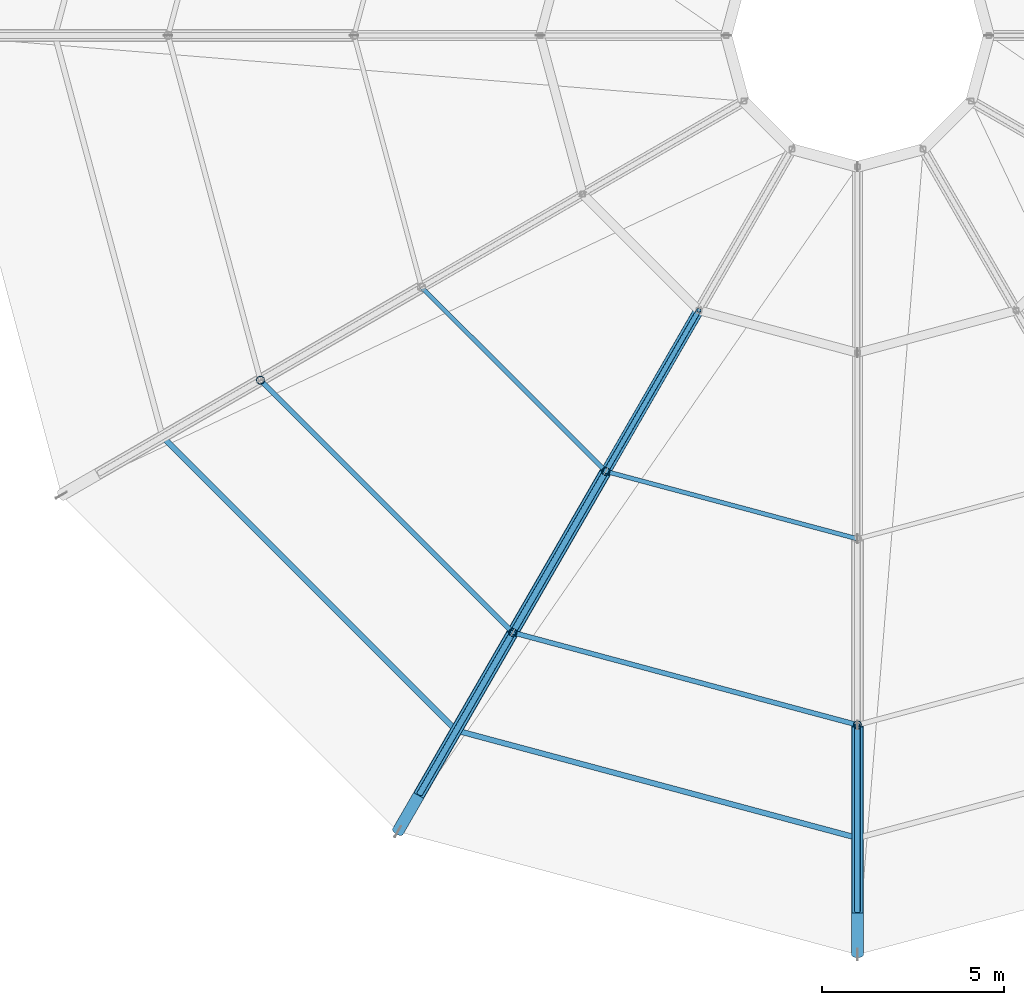
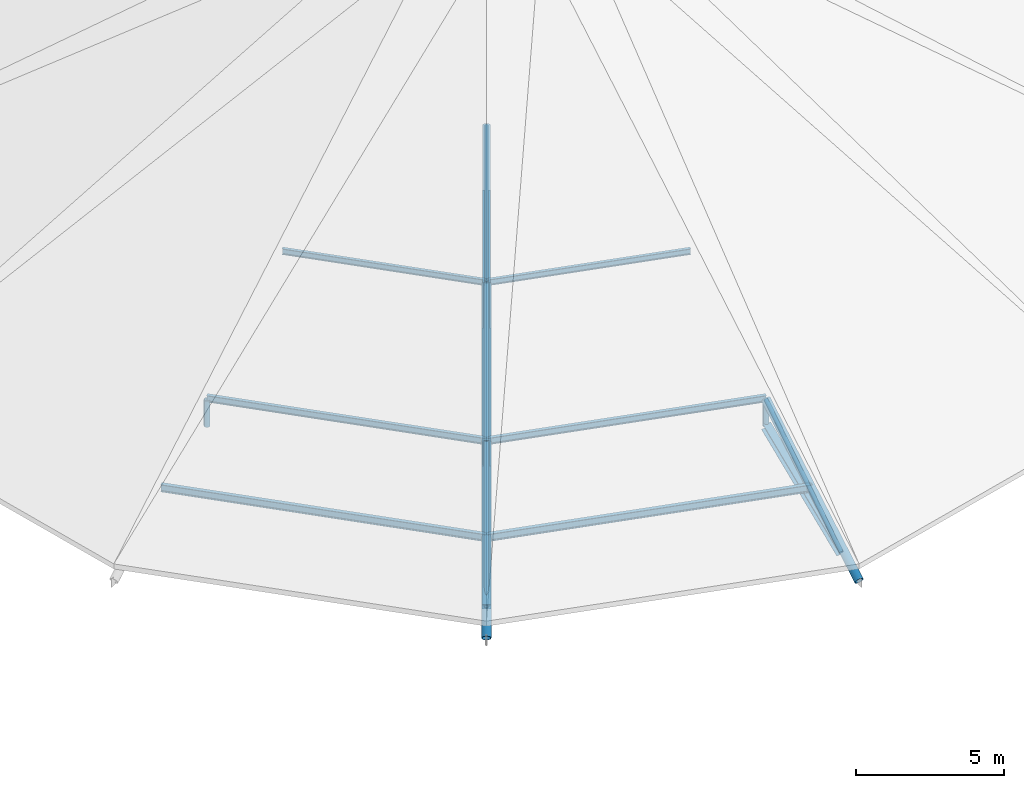
# One storey, part 15 of 58: 22 members.
"""IFC4 building model written with IfcOpenShell, lengths in metres."""

import ifcopenshell
import ifcopenshell.guid

model = None  # the IFC model being written
_history = None  # IfcOwnerHistory: only IFC2X3 demands one
_inside = {}  # id of a spatial element -> (the spatial element, [elements in it])
_under = {}  # id of a project, library or spatial element -> (it, [spatial elements below it])
_declared = {}  # id of a project -> (the project, [libraries it declares])
_typed = {}  # id of a type object -> (the type object, [elements of that type])
_made_of = {}  # id of a material, layer set ... -> (it, [elements and type objects made of it])


def new_model(schema):
    """Start an empty IFC model of exactly this schema.

    Asked for "IFC4X3", IfcOpenShell would pick the latest addendum, in which some entities
    have other attributes; the version numbers below select the first issue.
    IFC2X3 requires an IfcOwnerHistory on every rooted entity: one is made here for all.
    """
    global model, _history
    if schema == "IFC4X3":
        model = ifcopenshell.file(schema_version=(4, 3, 0, 0))
    else:
        model = ifcopenshell.file(schema=schema)
    _inside.clear()
    _under.clear()
    _declared.clear()
    _typed.clear()
    _made_of.clear()
    _history = None
    if model.schema == "IFC2X3":
        org = make("IfcOrganization", Name="unknown")
        user = make(
            "IfcPersonAndOrganization",
            ThePerson=make("IfcPerson", FamilyName="unknown"),
            TheOrganization=org,
        )
        app = make(
            "IfcApplication",
            ApplicationDeveloper=org,
            Version="unknown",
            ApplicationFullName="unknown",
            ApplicationIdentifier="unknown",
        )
        _history = make(
            "IfcOwnerHistory",
            OwningUser=user,
            OwningApplication=app,
            ChangeAction="ADDED",
            CreationDate=0,
        )
    return model


def make(cls, **values):
    """One entity of the class cls with the attributes given. An attribute that is None is left unset."""
    return model.create_entity(
        cls, **{name: value for name, value in values.items() if value is not None}
    )


def rooted(cls, **values):
    """An entity with a GlobalId (a new one), such as an element, a storey or a relation."""
    return make(cls, GlobalId=ifcopenshell.guid.new(), OwnerHistory=_history, **values)


def si_unit(unit_type, name, prefix=None):
    """IfcSIUnit, for example si_unit("LENGTHUNIT", "METRE", prefix="MILLI")."""
    return make("IfcSIUnit", UnitType=unit_type, Prefix=prefix, Name=name)


def derived_unit(unit_type, elements):
    """IfcDerivedUnit: a product of units, each with its exponent."""
    return make(
        "IfcDerivedUnit",
        Elements=[
            make("IfcDerivedUnitElement", Unit=unit, Exponent=power)
            for unit, power in elements
        ],
        UnitType=unit_type,
    )


def assignment(units):
    """IfcUnitAssignment: the units of a project."""
    return None if units is None else make("IfcUnitAssignment", Units=units)


def point(xyz):
    """IfcCartesianPoint."""
    return None if xyz is None else make("IfcCartesianPoint", Coordinates=xyz)


def direction(xyz):
    """IfcDirection."""
    return None if xyz is None else make("IfcDirection", DirectionRatios=xyz)


def frame(location, z_axis=None, x_axis=None):
    """IfcAxis2Placement3D, a coordinate frame: its origin and axes. An axis left out is left unset."""
    return make(
        "IfcAxis2Placement3D",
        Location=point(location),
        Axis=direction(z_axis),
        RefDirection=direction(x_axis),
    )


def frame_2d(location, x_axis=None):
    """IfcAxis2Placement2D, a coordinate frame in the plane: its origin and x axis."""
    return make(
        "IfcAxis2Placement2D", Location=point(location), RefDirection=direction(x_axis)
    )


def origin():
    """The frame at (0, 0, 0) with its axes left unset."""
    return frame((0.0, 0.0, 0.0))


def origin_2d():
    """The frame at (0, 0) in the plane with its x axis left unset."""
    return frame_2d((0.0, 0.0))


def place(relative_to, where):
    """IfcLocalPlacement: puts the frame where relative to a parent placement (None: the world)."""
    return make(
        "IfcLocalPlacement", PlacementRelTo=relative_to, RelativePlacement=where
    )


def context(
    kind, dimensions, precision=None, world=None, true_north=None, identifier=None
):
    """IfcGeometricRepresentationContext, for example the 3D "Model" context."""
    return make(
        "IfcGeometricRepresentationContext",
        ContextIdentifier=identifier,
        ContextType=kind,
        CoordinateSpaceDimension=dimensions,
        Precision=precision,
        WorldCoordinateSystem=world,
        TrueNorth=true_north,
    )


def subcontext(parent, identifier, kind, view, scale=None):
    """IfcGeometricRepresentationSubContext, for example "Body" below "Model"."""
    return make(
        "IfcGeometricRepresentationSubContext",
        ContextIdentifier=identifier,
        ContextType=kind,
        ParentContext=parent,
        TargetScale=scale,
        TargetView=view,
    )


def project(units=None, contexts=None):
    """IfcProject with its units and contexts."""
    return rooted(
        "IfcProject",
        Name="project",
        RepresentationContexts=contexts,
        UnitsInContext=assignment(units),
    )


def spatial(cls, under=None, at=None, **own):
    """A site, building, storey or space (cls), placed at a placement, below another one or the project."""
    s = rooted(cls, ObjectPlacement=at, **own)
    if under is not None:
        _under.setdefault(under.id(), (under, []))[1].append(s)
    return s


def profile(cls, at=None, kind="AREA", **sizes):
    """A parametric profile (cls). Its sizes go by their IFC names, for example OverallWidth=200.0."""
    return make(cls, ProfileType=kind, Position=at, **sizes)


def hollow_circle(**sizes):
    """IfcCircleHollowProfileDef."""
    return profile("IfcCircleHollowProfileDef", **sizes)


def i_section(**sizes):
    """IfcIShapeProfileDef."""
    return profile("IfcIShapeProfileDef", **sizes)


def extrude(swept, where, along, depth):
    """IfcExtrudedAreaSolid: the profile swept, set in the frame where, extruded along a direction by depth."""
    return make(
        "IfcExtrudedAreaSolid",
        SweptArea=swept,
        Position=where,
        ExtrudedDirection=direction(along),
        Depth=depth,
    )


def shape(context_of_items, identifier, shape_type, items):
    """IfcShapeRepresentation: the items that make up one representation, for example the "Body"."""
    return make(
        "IfcShapeRepresentation",
        ContextOfItems=context_of_items,
        RepresentationIdentifier=identifier,
        RepresentationType=shape_type,
        Items=items,
    )


def material(Name=None, Category=None):
    """IfcMaterial."""
    return make("IfcMaterial", Name=Name, Category=Category)


def material_profile(
    of_material, cross_section, Name=None, Category=None, Priority=None
):
    """IfcMaterialProfile: a cross section and its material."""
    return make(
        "IfcMaterialProfile",
        Name=Name,
        Material=of_material,
        Profile=cross_section,
        Priority=Priority,
        Category=Category,
    )


def profile_set(profiles, Name=None, composite=None):
    """IfcMaterialProfileSet."""
    return make(
        "IfcMaterialProfileSet",
        Name=Name,
        MaterialProfiles=profiles,
        CompositeProfile=composite,
    )


def made_of(thing, what):
    """Note that an element or type object is made of a material, layer set ...; save() writes the relation."""
    if what is not None:
        _made_of.setdefault(what.id(), (what, []))[1].append(thing)
    return thing


def type_object(cls, material=None, **own):
    """A type object (cls), such as IfcWallType, which elements share."""
    return made_of(rooted(cls, **own), material)


def element(
    cls,
    number,
    at=None,
    inside=None,
    cuts=None,
    type_object=None,
    material=None,
    context=None,
    identifier="Body",
    shape_type=None,
    held_by="IfcProductDefinitionShape",
    body=None,
    shapes=None,
    **own,
):
    """One element of the class cls, such as IfcWall. Its Tag is "e" and its number.

    at: its placement. inside: the storey or other place that contains it. cuts: it is an
    opening in that element (IfcRelVoidsElement). A single representation is given by context,
    identifier, shape_type and body (its items); several are given by shapes. held_by: the class
    of the entity that holds the representations. save() writes the other relations.
    """
    e = rooted(cls, Tag="e%d" % number, ObjectPlacement=at, **own)
    if body is not None:
        shapes = [shape(context, identifier, shape_type, body)]
    if shapes is not None:
        e.Representation = make(held_by, Representations=shapes)
    if inside is not None:
        _inside.setdefault(inside.id(), (inside, []))[1].append(e)
    if cuts is not None:
        rooted(
            "IfcRelVoidsElement", RelatingBuildingElement=cuts, RelatedOpeningElement=e
        )
    if type_object is not None:
        _typed.setdefault(type_object.id(), (type_object, []))[1].append(e)
    return made_of(e, material)


def aggregate(whole, parts):
    """IfcRelAggregates: a whole, such as a stair, and the parts it consists of."""
    return rooted("IfcRelAggregates", RelatingObject=whole, RelatedObjects=parts)


def save(model, path):
    """Write the relations noted so far, then the file.

    IfcRelAggregates (storeys below a building ...), IfcRelContainedInSpatialStructure (elements
    in a storey), IfcRelDefinesByType, IfcRelAssociatesMaterial and IfcRelDeclares: one each for
    every whole, place, type object, material and project.
    """
    for whole, parts in _under.values():
        aggregate(whole, parts)
    for where, things in _inside.values():
        rooted(
            "IfcRelContainedInSpatialStructure",
            RelatedElements=things,
            RelatingStructure=where,
        )
    for kind, things in _typed.values():
        rooted("IfcRelDefinesByType", RelatedObjects=things, RelatingType=kind)
    for what, things in _made_of.values():
        rooted("IfcRelAssociatesMaterial", RelatedObjects=things, RelatingMaterial=what)
    for by, libraries in _declared.values():
        rooted("IfcRelDeclares", RelatingContext=by, RelatedDefinitions=libraries)
    model.write(path)


model = new_model("IFC4")

# Units and contexts
model_context = context("Model", 3, precision=1e-05, world=origin(), true_north=direction((0.0, 1.0)))
body_context = subcontext(model_context, "Body", "Model", "MODEL_VIEW")
ifc_project = project(units=[si_unit("LENGTHUNIT", "METRE"), si_unit("AREAUNIT", "SQUARE_METRE"), si_unit("VOLUMEUNIT", "CUBIC_METRE"), si_unit("PLANEANGLEUNIT", "RADIAN"), si_unit("MASSUNIT", "GRAM", prefix="KILO"), derived_unit("THERMALTRANSMITTANCEUNIT", [(si_unit("POWERUNIT", "WATT"), 1), (si_unit("AREAUNIT", "SQUARE_METRE"), -1), (si_unit("THERMODYNAMICTEMPERATUREUNIT", "KELVIN"), -1)])], contexts=[model_context])

# Site, building, storey
site_placement = place(None, origin())
site = spatial("IfcSite", under=ifc_project, at=site_placement, CompositionType="ELEMENT")
building_placement = place(site_placement, origin())
building = spatial("IfcBuilding", under=site, at=building_placement, Name="Yasenodar Specialist Clinic", CompositionType="ELEMENT")
storey_placement = place(building_placement, frame((0.0, 0.0, 21.300048828125)))
storey = spatial("IfcBuildingStorey", under=building, at=storey_placement, Name="L05", CompositionType="ELEMENT", Elevation=21.300048828125)

# Members
ifc_material = material(Name="Steel S355", Category="steel")
ifc_material_profile_1 = material_profile(ifc_material, i_section(OverallWidth=0.1201171875, OverallDepth=0.239990234375, WebThickness=0.006103515625, FlangeThickness=0.009765625, FilletRadius=0.014892578125, at=origin_2d()), Name="IPE 240")
ifc_profile_set_1 = profile_set([ifc_material_profile_1], Name="Steel S355")
member_type_1 = type_object("IfcMemberType", Name="PR-IPE240", PredefinedType="PURLIN", material=ifc_profile_set_1)
for number, where, z_axis, x_axis, name in (
    (1, (69.048828125, 51.89990234375, 6.010009765625), (0.707123869522, -0.707089692438, 0.0), (0.707089692438, 0.707123869522, 0.0), "Drum Roof Concentric Purlin 3.08"),
    (2, (74.10009765625, 46.848876953125, 6.010009765625), (0.965923947156, -0.258826058022, 0.0), (0.258826058022, 0.965923947156, 0.0), "Drum Roof Concentric Purlin 3.09"),
):
    element("IfcMember", number, at=place(storey_placement, frame(where, z_axis=z_axis, x_axis=x_axis)), inside=storey, type_object=member_type_1, Name=name, PredefinedType="PURLIN", context=body_context, shape_type="SweptSolid", body=[
        extrude(i_section(OverallWidth=0.1201171875, OverallDepth=0.239990234375, WebThickness=0.006103515625, FlangeThickness=0.009765625, FilletRadius=0.014892578125, at=origin_2d()), origin(), (0.0, 0.0, 1.0), 7.143310546875),
    ])
ifc_material_profile_2 = material_profile(ifc_material, i_section(OverallWidth=0.135009765625, OverallDepth=0.27001953125, WebThickness=0.006591796875, FlangeThickness=0.01025390625, FilletRadius=0.014892578125, at=origin_2d()), Name="IPE 270")
ifc_profile_set_2 = profile_set([ifc_material_profile_2], Name="Steel S355")
member_type_2 = type_object("IfcMemberType", Name="PR-IPE270", PredefinedType="PURLIN", material=ifc_profile_set_2)
for number, where, z_axis, x_axis, name in (
    (3, (64.632080078125, 49.35009765625, 3.034912109375), (0.707106781187, -0.707106781187, 0.0), (0.707106781187, 0.707106781187, 0.0), "Drum Roof Concentric Purlin 2.08"),
    (4, (71.550048828125, 42.43212890625, 3.034912109375), (0.96592276547, -0.258830467963, 0.0), (0.258830467963, 0.96592276547, 0.0), "Drum Roof Concentric Purlin 2.09"),
):
    element("IfcMember", number, at=place(storey_placement, frame(where, z_axis=z_axis, x_axis=x_axis)), inside=storey, type_object=member_type_2, Name=name, PredefinedType="PURLIN", context=body_context, shape_type="SweptSolid", body=[
        extrude(i_section(OverallWidth=0.135009765625, OverallDepth=0.27001953125, WebThickness=0.006591796875, FlangeThickness=0.01025390625, FilletRadius=0.014892578125, at=origin_2d()), origin(), (0.0, 0.0, 1.0), 9.783447265625),
    ])
ifc_material_profile_3 = material_profile(ifc_material, i_section(OverallWidth=0.14990234375, OverallDepth=0.300048828125, WebThickness=0.007080078125, FlangeThickness=0.0107421875, FilletRadius=0.014892578125, at=origin_2d()), Name="IPE 300")
ifc_profile_set_3 = profile_set([ifc_material_profile_3], Name="Steel S355")
member_type_3 = type_object("IfcMemberType", Name="PR-IPE300", PredefinedType="PURLIN", material=ifc_profile_set_3)
member_1_placement = place(storey_placement, frame((61.947509765625, 47.800048828125, 1.2265625), z_axis=(0.707096062007, -0.707117500204, 0.0), x_axis=(0.707117500204, 0.707096062007, 0.0)))
element("IfcMember", 5, at=member_1_placement, inside=storey, type_object=member_type_3, Name="Drum Roof Concentric Purlin 1.08", PredefinedType="PURLIN", context=body_context, shape_type="SweptSolid", body=[
    extrude(i_section(OverallWidth=0.14990234375, OverallDepth=0.300048828125, WebThickness=0.007080078125, FlangeThickness=0.0107421875, FilletRadius=0.014892578125, at=origin_2d()), origin(), (0.0, 0.0, 1.0), 11.38818359375),
])
member_2_placement = place(storey_placement, frame((70.0, 39.747314453125, 1.2265625), z_axis=(0.965929678743, -0.258804667121, 0.0), x_axis=(0.258804667121, 0.965929678743, 0.0)))
element("IfcMember", 6, at=member_2_placement, inside=storey, type_object=member_type_3, Name="Drum Roof Concentric Purlin 1.09", PredefinedType="PURLIN", context=body_context, shape_type="SweptSolid", body=[
    extrude(i_section(OverallWidth=0.14990234375, OverallDepth=0.300048828125, WebThickness=0.007080078125, FlangeThickness=0.0107421875, FilletRadius=0.014892578125, at=origin_2d()), origin(), (0.0, 0.0, 1.0), 11.387939453125),
])
ifc_material_profile_4 = material_profile(ifc_material, hollow_circle(Radius=0.06982421875, WallThickness=0.00634765625, at=origin_2d()), Name="CHS 139.7x6.3")
ifc_profile_set_4 = profile_set([ifc_material_profile_4], Name="Steel S355")
member_type_4 = type_object("IfcMemberType", Name="TR-BRC-CHS139", PredefinedType="BRACE", material=ifc_profile_set_4)
member_3_placement = place(storey_placement, frame((74.10009765625, 46.848876953125, 4.02490234375), z_axis=(0.360522566873, 0.624493848841, 0.692842631147), x_axis=(-0.866042892689, 0.499969707105, 0.0)))
element("IfcMember", 7, at=member_3_placement, inside=storey, type_object=member_type_4, Name="Drum Roof Truss 09 Web Diagonal 3", PredefinedType="BRACE", context=body_context, shape_type="SweptSolid", body=[
    extrude(hollow_circle(Radius=0.06982421875, WallThickness=0.00634765625, at=origin_2d()), origin(), (0.0, 0.0, 1.0), 7.072509765625),
])
ifc_material_profile_5 = material_profile(ifc_material, hollow_circle(Radius=0.084228515625, WallThickness=0.008056640625, at=origin_2d()), Name="CHS 168.3x8")
ifc_profile_set_5 = profile_set([ifc_material_profile_5], Name="Steel S355")
member_type_5 = type_object("IfcMemberType", Name="TR-BRC-CHS168", PredefinedType="BRACE", material=ifc_profile_set_5)
member_4_placement = place(storey_placement, frame((69.0, 38.015380859375, -0.25), z_axis=(0.422607893936, 0.731967391976, 0.534440179128), x_axis=(-0.86602216432, 0.500005610874, 0.0)))
element("IfcMember", 8, at=member_4_placement, inside=storey, type_object=member_type_5, Name="Drum Roof Truss 09 Web Diagonal 1", PredefinedType="BRACE", context=body_context, shape_type="SweptSolid", body=[
    extrude(hollow_circle(Radius=0.084228515625, WallThickness=0.008056640625, at=origin_2d()), origin(), (0.0, 0.0, 1.0), 6.0341796875),
])
member_5_placement = place(storey_placement, frame((71.550048828125, 42.43212890625, 1.887451171875), z_axis=(0.391093758466, 0.677384124883, 0.623054106354), x_axis=(-0.86602216432, 0.500005610874, 0.0)))
element("IfcMember", 9, at=member_5_placement, inside=storey, type_object=member_type_5, Name="Drum Roof Truss 09 Web Diagonal 2", PredefinedType="BRACE", context=body_context, shape_type="SweptSolid", body=[
    extrude(hollow_circle(Radius=0.084228515625, WallThickness=0.008056640625, at=origin_2d()), origin(), (0.0, 0.0, 1.0), 6.520263671875),
])
member_6_placement = place(storey_placement, frame((81.0, 34.800048828125, -0.25), z_axis=(0.0, 0.845197455381, 0.534454171484), x_axis=(-1.0, 0.0, 0.0)))
element("IfcMember", 10, at=member_6_placement, inside=storey, type_object=member_type_5, Name="Drum Roof Truss 10 Web Diagonal 1", PredefinedType="BRACE", context=body_context, shape_type="SweptSolid", body=[
    extrude(hollow_circle(Radius=0.084228515625, WallThickness=0.008056640625, at=origin_2d()), origin(), (0.0, 0.0, 1.0), 6.033935546875),
])
ifc_material_profile_6 = material_profile(ifc_material, hollow_circle(Radius=0.136474609375, WallThickness=0.012451171875, at=origin_2d()), Name="CHS 273x12.5")
ifc_profile_set_6 = profile_set([ifc_material_profile_6], Name="Steel S355")
member_type_6 = type_object("IfcMemberType", Name="TR-CHD-CHS273", PredefinedType="CHORD", material=ifc_profile_set_6)
member_7_placement = place(storey_placement, frame((74.10009765625, 46.848876953125, 5.949951171875), z_axis=(0.431857929617, 0.748060303017, 0.503889384366), x_axis=(-0.866042892689, 0.499969707105, 0.0)))
element("IfcMember", 11, at=member_7_placement, inside=storey, type_object=member_type_6, Name="Drum Roof Truss 09 Top Chord 3", PredefinedType="CHORD", context=body_context, shape_type="SweptSolid", body=[
    extrude(hollow_circle(Radius=0.136474609375, WallThickness=0.012451171875, at=origin_2d()), origin(), (0.0, 0.0, 1.0), 5.904296875),
])
ifc_material_profile_7 = material_profile(ifc_material, hollow_circle(Radius=0.161865234375, WallThickness=0.01611328125, at=origin_2d()), Name="CHS 323.9x16")
ifc_profile_set_7 = profile_set([ifc_material_profile_7], Name="Steel S355")
member_type_7 = type_object("IfcMemberType", Name="TR-CHD-CHS324", PredefinedType="CHORD", material=ifc_profile_set_7)
member_8_placement = place(storey_placement, frame((68.39990234375, 36.976318359375, -0.699951171875), z_axis=(0.431918238356, 0.748049048481, 0.503854400042), x_axis=(-0.866009402589, 0.500027713859, 0.0)))
element("IfcMember", 12, at=member_8_placement, inside=storey, type_object=member_type_7, Name="Drum Roof Truss 09 Top Chord 1", PredefinedType="CHORD", context=body_context, shape_type="SweptSolid", body=[
    extrude(hollow_circle(Radius=0.161865234375, WallThickness=0.01611328125, at=origin_2d()), origin(), (0.0, 0.0, 1.0), 7.29345703125),
])
member_9_placement = place(storey_placement, frame((71.550048828125, 42.43212890625, 2.974853515625), z_axis=(0.431891566774, 0.748046944425, 0.50388038609), x_axis=(-0.86602216432, 0.500005610874, 0.0)))
element("IfcMember", 13, at=member_9_placement, inside=storey, type_object=member_type_7, Name="Drum Roof Truss 09 Top Chord 2", PredefinedType="CHORD", context=body_context, shape_type="SweptSolid", body=[
    extrude(hollow_circle(Radius=0.161865234375, WallThickness=0.01611328125, at=origin_2d()), origin(), (0.0, 0.0, 1.0), 5.904296875),
])
member_10_placement = place(storey_placement, frame((81.0, 33.60009765625, -0.699951171875), z_axis=(0.0, 0.863783757306, 0.503862700162), x_axis=(-1.0, 0.0, 0.0)))
element("IfcMember", 14, at=member_10_placement, inside=storey, type_object=member_type_7, Name="Drum Roof Truss 10 Top Chord 1", PredefinedType="CHORD", context=body_context, shape_type="SweptSolid", body=[
    extrude(hollow_circle(Radius=0.161865234375, WallThickness=0.01611328125, at=origin_2d()), origin(), (0.0, 0.0, 1.0), 7.293212890625),
])
ifc_material_profile_8 = material_profile(ifc_material, i_section(OverallWidth=0.280029296875, OverallDepth=0.27001953125, WebThickness=0.008056640625, FlangeThickness=0.012939453125, FilletRadius=0.02392578125, at=origin_2d()), Name="HEA 280")
ifc_profile_set_8 = profile_set([ifc_material_profile_8], Name="Steel S355")
member_type_8 = type_object("IfcMemberType", Name="TR-CHD-HEA280", PredefinedType="CHORD", material=ifc_profile_set_8)
member_11_placement = place(storey_placement, frame((74.10009765625, 46.848876953125, 4.02490234375), z_axis=(0.461108722296, 0.798728254984, 0.3865383822), x_axis=(-0.866042892689, 0.499969707105, 0.0)))
element("IfcMember", 15, at=member_11_placement, inside=storey, type_object=member_type_8, Name="Drum Roof Truss 09 Bottom Chord 3", PredefinedType="CHORD", context=body_context, shape_type="SweptSolid", body=[
    extrude(i_section(OverallWidth=0.280029296875, OverallDepth=0.27001953125, WebThickness=0.008056640625, FlangeThickness=0.012939453125, FilletRadius=0.02392578125, at=origin_2d()), origin(), (0.0, 0.0, 1.0), 5.52978515625),
])
ifc_material_profile_9 = material_profile(ifc_material, i_section(OverallWidth=0.300048828125, OverallDepth=0.300048828125, WebThickness=0.010986328125, FlangeThickness=0.01904296875, FilletRadius=0.027099609375, at=origin_2d()), Name="HEB 300")
ifc_profile_set_9 = profile_set([ifc_material_profile_9], Name="Steel S355")
member_type_9 = type_object("IfcMemberType", Name="TR-CHD-HEB300", PredefinedType="CHORD", material=ifc_profile_set_9)
for number, where, z_axis, x_axis, name in (
    (16, (69.0, 38.015380859375, -0.25), (0.461143484467, 0.798711994016, 0.38653051283), (-0.86602216432, 0.500005610874, 0.0), "Drum Roof Truss 09 Bottom Chord 1"),
    (17, (71.550048828125, 42.43212890625, 1.887451171875), (0.461143484467, 0.798711994016, 0.38653051283), (-0.86602216432, 0.500005610874, 0.0), "Drum Roof Truss 09 Bottom Chord 2"),
    (18, (81.0, 34.800048828125, -0.25), (0.0, 0.922271569205, 0.386542562516), (-1.0, 0.0, 0.0), "Drum Roof Truss 10 Bottom Chord 1"),
):
    element("IfcMember", number, at=place(storey_placement, frame(where, z_axis=z_axis, x_axis=x_axis)), inside=storey, type_object=member_type_9, Name=name, PredefinedType="CHORD", context=body_context, shape_type="SweptSolid", body=[
        extrude(i_section(OverallWidth=0.300048828125, OverallDepth=0.300048828125, WebThickness=0.010986328125, FlangeThickness=0.01904296875, FilletRadius=0.027099609375, at=origin_2d()), origin(), (0.0, 0.0, 1.0), 5.52978515625),
    ])
ifc_material_profile_10 = material_profile(ifc_material, hollow_circle(Radius=0.109619140625, WallThickness=0.010009765625, at=origin_2d()), Name="CHS 219.1x10")
ifc_profile_set_10 = profile_set([ifc_material_profile_10], Name="Steel S355")
member_type_10 = type_object("IfcMemberType", Name="TR-STR-CHS219", PredefinedType="STRUT", material=ifc_profile_set_10)
for number, where, z_axis, x_axis, name in (
    (19, (64.632080078125, 49.35009765625, 1.887451171875), (0.0, 0.0, 1.0), (1.0, 0.0, 0.0), "Drum Roof Truss 08 Strut 1"),
    (20, (71.550048828125, 42.43212890625, 1.887451171875), (0.0, 0.0, 1.0), (1.0, 0.0, 0.0), "Drum Roof Truss 09 Strut 1"),
):
    element("IfcMember", number, at=place(storey_placement, frame(where, z_axis=z_axis, x_axis=x_axis)), inside=storey, type_object=member_type_10, Name=name, PredefinedType="STRUT", context=body_context, shape_type="SweptSolid", body=[
        extrude(hollow_circle(Radius=0.109619140625, WallThickness=0.010009765625, at=origin_2d()), origin(), (0.0, 0.0, 1.0), 1.08740234375),
    ])
member_12_placement = place(storey_placement, frame((74.10009765625, 46.848876953125, 4.02490234375), z_axis=(0.0, 0.0, 1.0), x_axis=(1.0, 0.0, 0.0)))
element("IfcMember", 21, at=member_12_placement, inside=storey, type_object=member_type_10, Name="Drum Roof Truss 09 Strut 2", PredefinedType="STRUT", context=body_context, shape_type="SweptSolid", body=[
    extrude(hollow_circle(Radius=0.109619140625, WallThickness=0.010009765625, at=origin_2d()), origin(), (0.0, 0.0, 1.0), 1.925048828125),
])
member_13_placement = place(storey_placement, frame((81.0, 39.89990234375, 1.887451171875), z_axis=(0.0, 0.0, 1.0), x_axis=(1.0, 0.0, 0.0)))
element("IfcMember", 22, at=member_13_placement, inside=storey, type_object=member_type_10, Name="Drum Roof Truss 10 Strut 1", PredefinedType="STRUT", context=body_context, shape_type="SweptSolid", body=[
    extrude(hollow_circle(Radius=0.109619140625, WallThickness=0.010009765625, at=origin_2d()), origin(), (0.0, 0.0, 1.0), 1.08740234375),
])

save(model, "model.ifc")
